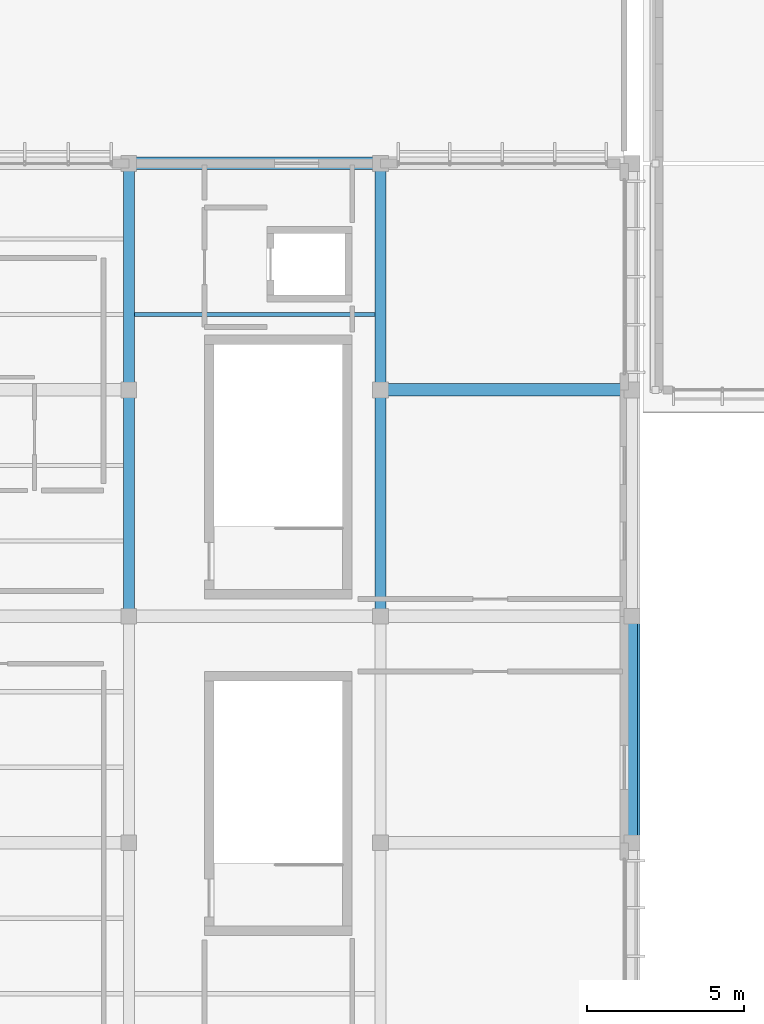
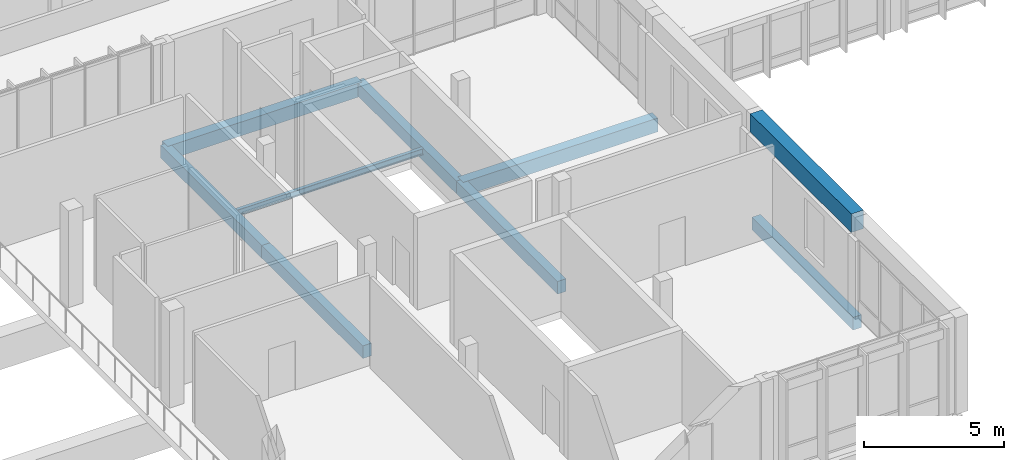
# One storey, part 28 of 182: 9 beams.
"""IFC4 building model written with IfcOpenShell, lengths in metres."""

from ifc_helpers import new_model, si_unit, direction, frame, origin, origin_2d, place, context, subcontext, project, spatial, rectangle, i_section, extrude, material, material_profile, profile_set, type_object, element, save


model = new_model("IFC4")

# Units and contexts
model_context = context("Model", 3, precision=1e-05, world=origin(), true_north=direction((0.0, 1.0)))
body_context = subcontext(model_context, "Body", "Model", "MODEL_VIEW")
ifc_project = project(units=[si_unit("LENGTHUNIT", "METRE"), si_unit("AREAUNIT", "SQUARE_METRE"), si_unit("VOLUMEUNIT", "CUBIC_METRE"), si_unit("PLANEANGLEUNIT", "RADIAN"), si_unit("MASSUNIT", "GRAM", prefix="KILO")], contexts=[model_context])

# Site, building, storey
site_placement = place(None, origin())
site = spatial("IfcSite", under=ifc_project, at=site_placement, CompositionType="ELEMENT")
building_placement = place(site_placement, origin())
building = spatial("IfcBuilding", under=site, at=building_placement, Name="Chiffa Square Polytechnic", CompositionType="ELEMENT")
storey_placement = place(building_placement, frame((0.0, 0.0, 9.60009765625)))
storey = spatial("IfcBuildingStorey", under=building, at=storey_placement, Name="L02", CompositionType="ELEMENT", Elevation=9.60009765625)

# Beams
ifc_material_1 = material(Name="Concrete C35/45", Category="concrete")
ifc_material_profile_1 = material_profile(ifc_material_1, rectangle(XDim=0.35009765625, YDim=0.550048828125, at=origin_2d()), Name="RC 350x550")
ifc_profile_set_1 = profile_set([ifc_material_profile_1], Name="Concrete C35/45")
beam_type_1 = type_object("IfcBeamType", Name="BM-RC-350X550", PredefinedType="BEAM", material=ifc_profile_set_1)
beam_1_placement = place(storey_placement, frame((32.0, 14.39990234375, -0.59521484375), z_axis=(0.0, 1.0, 0.0), x_axis=(-1.0, 0.0, 0.0)))
element("IfcBeam", 1, at=beam_1_placement, inside=storey, type_object=beam_type_1, Name="Primary floor girder BM-V3-L02-Y-0320-0144", PredefinedType="BEAM", context=body_context, shape_type="SweptSolid", body=[
    extrude(rectangle(XDim=0.35009765625, YDim=0.550048828125, at=origin_2d()), origin(), (0.0, 0.0, 1.0), 7.2001953125),
])
beam_2_placement = place(storey_placement, frame((32.0, 21.60009765625, -0.59521484375), z_axis=(0.0, 1.0, 0.0), x_axis=(-1.0, 0.0, 0.0)))
element("IfcBeam", 2, at=beam_2_placement, inside=storey, type_object=beam_type_1, Name="Primary floor girder BM-V3-L02-Y-0320-0216", PredefinedType="BEAM", context=body_context, shape_type="SweptSolid", body=[
    extrude(rectangle(XDim=0.35009765625, YDim=0.550048828125, at=origin_2d()), origin(), (0.0, 0.0, 1.0), 7.199951171875),
])
beam_3_placement = place(storey_placement, frame((40.0, 14.39990234375, -0.59521484375), z_axis=(0.0, 1.0, 0.0), x_axis=(-1.0, 0.0, 0.0)))
element("IfcBeam", 3, at=beam_3_placement, inside=storey, type_object=beam_type_1, Name="Primary floor girder BM-V3-L02-Y-0400-0144", PredefinedType="BEAM", context=body_context, shape_type="SweptSolid", body=[
    extrude(rectangle(XDim=0.35009765625, YDim=0.550048828125, at=origin_2d()), origin(), (0.0, 0.0, 1.0), 7.2001953125),
])
for number, where, z_axis, x_axis, name in (
    (4, (40.0, 21.60009765625, -0.59521484375), (0.0, 1.0, 0.0), (-1.0, 0.0, 0.0), "Primary floor girder BM-V3-L02-Y-0400-0216"),
    (5, (48.0, 7.199951171875, -0.59521484375), (0.0, 1.0, 0.0), (-1.0, 0.0, 0.0), "Primary floor girder BM-V3-L02-Y-0480-0072"),
):
    element("IfcBeam", number, at=place(storey_placement, frame(where, z_axis=z_axis, x_axis=x_axis)), inside=storey, type_object=beam_type_1, Name=name, PredefinedType="BEAM", context=body_context, shape_type="SweptSolid", body=[
        extrude(rectangle(XDim=0.35009765625, YDim=0.550048828125, at=origin_2d()), origin(), (0.0, 0.0, 1.0), 7.199951171875),
    ])
ifc_material_profile_2 = material_profile(ifc_material_1, rectangle(XDim=0.39990234375, YDim=0.60009765625, at=origin_2d()), Name="RC 400x600")
ifc_profile_set_2 = profile_set([ifc_material_profile_2], Name="Concrete C35/45")
beam_type_2 = type_object("IfcBeamType", Name="BM-RC-400X600", PredefinedType="BEAM", material=ifc_profile_set_2)
for number, where, z_axis, x_axis, name in (
    (6, (40.0, 21.60009765625, -0.6201171875), (1.0, 0.0, 0.0), (0.0, 1.0, 0.0), "Primary floor girder BM-V3-L02-X-0400-0216"),
    (7, (32.0, 28.800048828125, -0.6201171875), (1.0, 0.0, 0.0), (0.0, 1.0, 0.0), "Primary floor girder BM-V3-L02-X-0320-0288"),
):
    element("IfcBeam", number, at=place(storey_placement, frame(where, z_axis=z_axis, x_axis=x_axis)), inside=storey, type_object=beam_type_2, Name=name, PredefinedType="BEAM", context=body_context, shape_type="SweptSolid", body=[
        extrude(rectangle(XDim=0.39990234375, YDim=0.60009765625, at=origin_2d()), origin(), (0.0, 0.0, 1.0), 8.0),
    ])
ifc_material_2 = material(Name="Concrete C40/50", Category="concrete")
ifc_material_profile_3 = material_profile(ifc_material_2, rectangle(XDim=0.5, YDim=0.800048828125, at=origin_2d()), Name="RC 500x800")
ifc_profile_set_3 = profile_set([ifc_material_profile_3], Name="Concrete C40/50")
beam_type_3 = type_object("IfcBeamType", Name="BM-RC-500X800", PredefinedType="BEAM", material=ifc_profile_set_3)
beam_4_placement = place(storey_placement, frame((48.0, 7.199951171875, 3.7998046875), z_axis=(0.0, 1.0, 0.0), x_axis=(-1.0, 0.0, 0.0)))
element("IfcBeam", 8, at=beam_4_placement, inside=storey, type_object=beam_type_3, Name="Lecture east eave ring beam BM-V3-EAVTIE-E2", PredefinedType="BEAM", context=body_context, shape_type="SweptSolid", body=[
    extrude(rectangle(XDim=0.5, YDim=0.800048828125, at=origin_2d()), origin(), (0.0, 0.0, 1.0), 7.199951171875),
])
ifc_material_3 = material(Name="Steel S355", Category="steel")
ifc_material_profile_4 = material_profile(ifc_material_3, i_section(OverallWidth=0.135009765625, OverallDepth=0.27001953125, WebThickness=0.006591796875, FlangeThickness=0.01025390625, FilletRadius=0.014892578125, at=origin_2d()), Name="IPE 270")
ifc_profile_set_4 = profile_set([ifc_material_profile_4], Name="Steel S355")
beam_type_4 = type_object("IfcBeamType", Name="JST-STL-IPE270", PredefinedType="JOIST", material=ifc_profile_set_4)
beam_5_placement = place(storey_placement, frame((32.173095703125, 24.0, -0.455078125), z_axis=(1.0, 0.0, 0.0), x_axis=(0.0, 1.0, 0.0)))
element("IfcBeam", 9, at=beam_5_placement, inside=storey, type_object=beam_type_4, Name="Secondary floor joist JST-V3-L02-0320-0240", PredefinedType="JOIST", context=body_context, shape_type="SweptSolid", body=[
    extrude(i_section(OverallWidth=0.135009765625, OverallDepth=0.27001953125, WebThickness=0.006591796875, FlangeThickness=0.01025390625, FilletRadius=0.014892578125, at=origin_2d()), origin(), (0.0, 0.0, 1.0), 7.65380859375),
])

save(model, "model.ifc")
